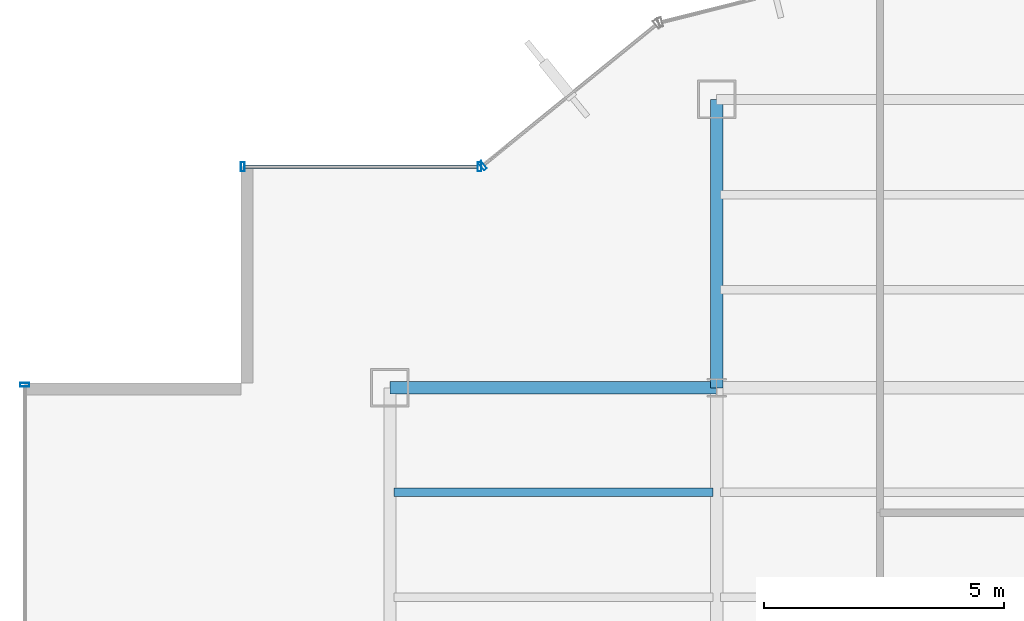
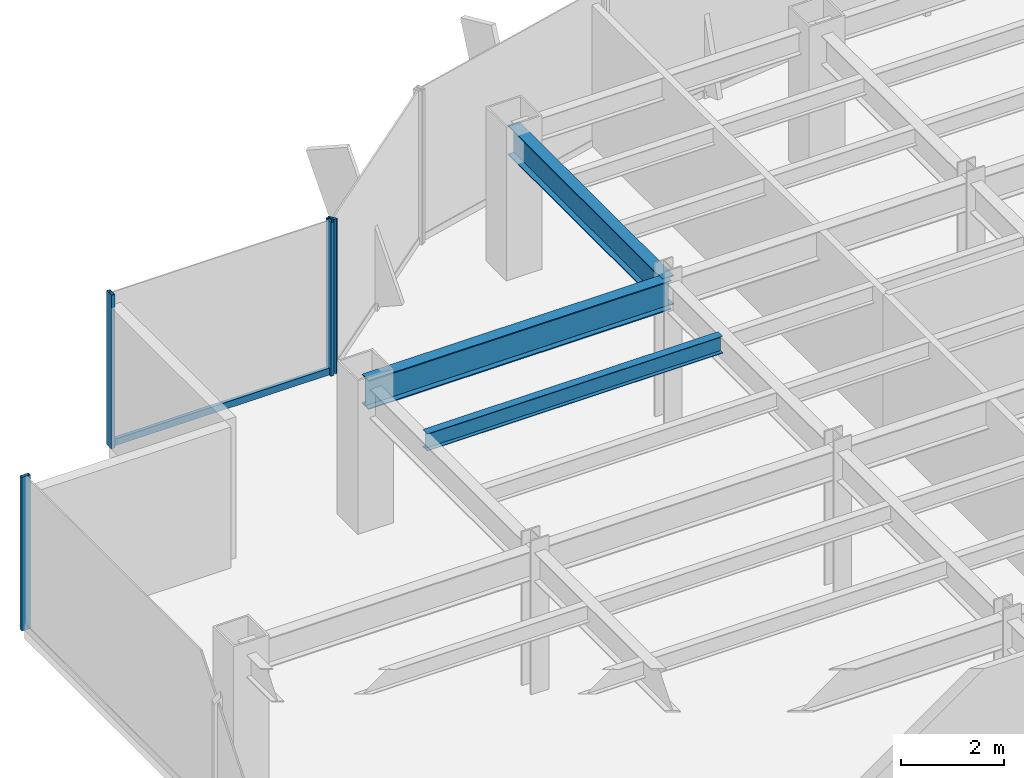
# One storey, part 13 of 26: 5 members, 3 beams, 3 elements without a shape of their own.
"""IFC4 building model written with IfcOpenShell, lengths in metres."""

from ifc_helpers import new_model, si_unit, derived_unit, direction, frame, origin, origin_2d, place, context, subcontext, project, spatial, hollow_rectangle, i_section, extrude, source, transform, mapped, material, material_profile, profile_set, type_object, element, aggregate, save


model = new_model("IFC4")

# Units and contexts
model_context = context("Model", 3, precision=1e-05, world=origin(), true_north=direction((0.0, 1.0)))
body_context = subcontext(model_context, "Body", "Model", "MODEL_VIEW")
ifc_project = project(units=[si_unit("LENGTHUNIT", "METRE"), si_unit("AREAUNIT", "SQUARE_METRE"), si_unit("VOLUMEUNIT", "CUBIC_METRE"), si_unit("PLANEANGLEUNIT", "RADIAN"), si_unit("MASSUNIT", "GRAM", prefix="KILO"), derived_unit("THERMALTRANSMITTANCEUNIT", [(si_unit("POWERUNIT", "WATT"), 1), (si_unit("LENGTHUNIT", "METRE"), -2), (si_unit("THERMODYNAMICTEMPERATUREUNIT", "KELVIN"), -1)])], contexts=[model_context])

# Site, building, storey
site_placement = place(None, origin())
site = spatial("IfcSite", under=ifc_project, at=site_placement, CompositionType="ELEMENT")
building_placement = place(site_placement, origin())
building = spatial("IfcBuilding", under=site, at=building_placement, Name="Skarnbrae Concourse Arena and Tower", CompositionType="ELEMENT")
storey_placement = place(building_placement, frame((0.0, 0.0, 132.449951171875)))
storey = spatial("IfcBuildingStorey", under=building, at=storey_placement, Name="L33", CompositionType="ELEMENT", Elevation=132.449951171875)

# Beams
ifc_material_1 = material(Name="Steel CSA G40.21 350W", Category="steel")
ifc_material_profile_1 = material_profile(ifc_material_1, i_section(OverallWidth=0.256103515625, OverallDepth=0.693115234375, WebThickness=0.014404296875, FlangeThickness=0.023681640625, at=origin_2d()), Name="W690X170")
ifc_profile_set_1 = profile_set([ifc_material_profile_1], Name="Steel CSA G40.21 350W")
beam_type_1 = type_object("IfcBeamType", Name="BM-GIRD-W690X170", PredefinedType="BEAM", material=ifc_profile_set_1)
shared_shape_1 = source(origin(), body_context, "Body", "SweptSolid", [
    extrude(i_section(OverallWidth=0.256103515625, OverallDepth=0.693115234375, WebThickness=0.014404296875, FlangeThickness=0.023681640625, at=origin_2d()), origin(), (0.0, 0.0, 1.0), 6.7998046875),
])
beam_1_placement = place(storey_placement, frame((7.60009765625, 34.39990234375, 3.003662109375), z_axis=(1.0, 0.0, 0.0), x_axis=(0.0, 1.0, 0.0)))
element("IfcBeam", 1, at=beam_1_placement, inside=storey, type_object=beam_type_1, Name="L33 Primary E-W girder Y34.4-1", PredefinedType="BEAM", context=body_context, shape_type="MappedRepresentation", body=[
    mapped(shared_shape_1, transform((0.0, 0.0, 0.0))),
])
shared_shape_2 = source(origin(), body_context, "Body", "SweptSolid", [
    extrude(i_section(OverallWidth=0.256103515625, OverallDepth=0.693115234375, WebThickness=0.014404296875, FlangeThickness=0.023681640625, at=origin_2d()), origin(), (0.0, 0.0, 1.0), 6.0),
])
beam_2_placement = place(storey_placement, frame((14.39990234375, 34.39990234375, 3.003662109375), z_axis=(0.0, 1.0, 0.0), x_axis=(-1.0, 0.0, 0.0)))
element("IfcBeam", 2, at=beam_2_placement, inside=storey, type_object=beam_type_1, Name="L33 Primary N-S girder X14.4-4", PredefinedType="BEAM", context=body_context, shape_type="MappedRepresentation", body=[
    mapped(shared_shape_2, transform((0.0, 0.0, 0.0))),
])
ifc_material_profile_2 = material_profile(ifc_material_1, i_section(OverallWidth=0.177978515625, OverallDepth=0.406982421875, WebThickness=0.0078125, FlangeThickness=0.0126953125, at=origin_2d()), Name="W410X60")
ifc_profile_set_2 = profile_set([ifc_material_profile_2], Name="Steel CSA G40.21 350W")
beam_type_2 = type_object("IfcBeamType", Name="BM-JOIST-W410X60", PredefinedType="JOIST", material=ifc_profile_set_2)
shared_shape_3 = source(origin(), body_context, "Body", "SweptSolid", [
    extrude(i_section(OverallWidth=0.177978515625, OverallDepth=0.406982421875, WebThickness=0.0078125, FlangeThickness=0.0126953125, at=origin_2d()), origin(), (0.0, 0.0, 1.0), 6.64013671875),
])
beam_3_placement = place(storey_placement, frame((7.679931640625, 32.221923828125, 3.146484375), z_axis=(1.0, 0.0, 0.0), x_axis=(0.0, 1.0, 0.0)))
element("IfcBeam", 3, at=beam_3_placement, inside=storey, type_object=beam_type_2, Name="L33 Secondary floor joist 3.2.1", PredefinedType="JOIST", context=body_context, shape_type="MappedRepresentation", body=[
    mapped(shared_shape_3, transform((0.0, 0.0, 0.0))),
])

# Curtain wall, member
ifc_material_2 = material(Name="Bronze anodised aluminium 6063-T6", Category="aluminium")
curtain_wall_type = type_object("IfcCurtainWallType", Name="CW-SYS-04-MIDZONE", PredefinedType="USERDEFINED", material=ifc_material_2)
curtain_wall_1_placement = place(storey_placement, origin())
curtain_wall_1 = element("IfcCurtainWall", 4, at=curtain_wall_1_placement, inside=storey, type_object=curtain_wall_type, Name="L33 Unitised curtain wall CW-L33-E15", ObjectType="UNITISED CURTAIN WALL", PredefinedType="USERDEFINED")
ifc_material_profile_3 = material_profile(ifc_material_2, hollow_rectangle(XDim=0.074951171875, YDim=0.195068359375, WallThickness=0.00439453125, at=origin_2d()), Name="ALU-MULL-75X195")
ifc_profile_set_3 = profile_set([ifc_material_profile_3], Name="Bronze anodised aluminium 6063-T6")
member_type_1 = type_object("IfcMemberType", Name="CWM-CW-04", PredefinedType="MULLION", material=ifc_profile_set_3)
shared_shape_4 = source(origin(), body_context, "Body", "SweptSolid", [
    extrude(hollow_rectangle(XDim=0.074951171875, YDim=0.195068359375, WallThickness=0.00439453125, at=origin_2d()), origin(), (0.0, 0.0, 1.0), 3.650146484375),
])
member_1_placement = place(storey_placement, frame((9.529052734375, 39.023681640625, 0.0), z_axis=(0.0, 0.0, 1.0), x_axis=(-0.776241200471, -0.630436038542, 0.0)))
member_1 = element("IfcMember", 5, at=member_1_placement, type_object=member_type_1, Name="CW-L33-E15 Mullion 2", PredefinedType="MULLION", context=body_context, shape_type="MappedRepresentation", body=[
    mapped(shared_shape_4, transform((0.0, 0.0, 0.0))),
])
aggregate(curtain_wall_1, [member_1])

# Curtain wall, members
curtain_wall_2_placement = place(storey_placement, origin())
curtain_wall_2 = element("IfcCurtainWall", 6, at=curtain_wall_2_placement, inside=storey, type_object=curtain_wall_type, Name="L33 Unitised curtain wall CW-L33-E16", ObjectType="UNITISED CURTAIN WALL", PredefinedType="USERDEFINED")
member_2_placement = place(storey_placement, frame((9.46240234375, 39.0, 0.0), z_axis=(0.0, 0.0, 1.0), x_axis=(-1.0, 0.0, 0.0)))
member_2 = element("IfcMember", 7, at=member_2_placement, type_object=member_type_1, Name="CW-L33-E16 Mullion 1", PredefinedType="MULLION", context=body_context, shape_type="MappedRepresentation", body=[
    mapped(shared_shape_4, transform((0.0, 0.0, 0.0))),
])
member_3_placement = place(storey_placement, frame((4.53759765625, 39.0, 0.0), z_axis=(0.0, 0.0, 1.0), x_axis=(-1.0, 0.0, 0.0)))
member_3 = element("IfcMember", 8, at=member_3_placement, type_object=member_type_1, Name="CW-L33-E16 Mullion 2", PredefinedType="MULLION", context=body_context, shape_type="MappedRepresentation", body=[
    mapped(shared_shape_4, transform((0.0, 0.0, 0.0))),
])

# Curtain wall, member
curtain_wall_3_placement = place(storey_placement, origin())
curtain_wall_3 = element("IfcCurtainWall", 9, at=curtain_wall_3_placement, inside=storey, type_object=curtain_wall_type, Name="L33 Unitised curtain wall CW-L33-E19", ObjectType="UNITISED CURTAIN WALL", PredefinedType="USERDEFINED")
member_4_placement = place(storey_placement, frame((0.0, 34.46240234375, 0.0), z_axis=(0.0, 0.0, 1.0), x_axis=(0.0, -1.0, 0.0)))
member_4 = element("IfcMember", 10, at=member_4_placement, type_object=member_type_1, Name="CW-L33-E19 Mullion 1", PredefinedType="MULLION", context=body_context, shape_type="MappedRepresentation", body=[
    mapped(shared_shape_4, transform((0.0, 0.0, 0.0))),
])
aggregate(curtain_wall_3, [member_4])

# Member
ifc_material_profile_4 = material_profile(ifc_material_2, hollow_rectangle(XDim=0.074951171875, YDim=0.159912109375, WallThickness=0.00439453125, at=origin_2d()), Name="ALU-TRAN-75X160")
ifc_profile_set_4 = profile_set([ifc_material_profile_4], Name="Bronze anodised aluminium 6063-T6")
member_type_2 = type_object("IfcMemberType", Name="CWT-CW-04", PredefinedType="USERDEFINED", material=ifc_profile_set_4)
shared_shape_5 = source(origin(), body_context, "Body", "SweptSolid", [
    extrude(hollow_rectangle(XDim=0.074951171875, YDim=0.159912109375, WallThickness=0.00439453125, at=origin_2d()), origin(), (0.0, 0.0, 1.0), 4.85009765625),
])
member_5_placement = place(storey_placement, frame((9.425048828125, 39.0, 0.080078125), z_axis=(-1.0, 0.0, 0.0), x_axis=(0.0, -1.0, 0.0)))
member_5 = element("IfcMember", 11, at=member_5_placement, type_object=member_type_2, Name="CW-L33-E16 Transom 1", ObjectType="TRANSOM", PredefinedType="USERDEFINED", context=body_context, shape_type="MappedRepresentation", body=[
    mapped(shared_shape_5, transform((0.0, 0.0, 0.0))),
])

aggregate(curtain_wall_2, [member_2, member_3, member_5])

save(model, "model.ifc")
